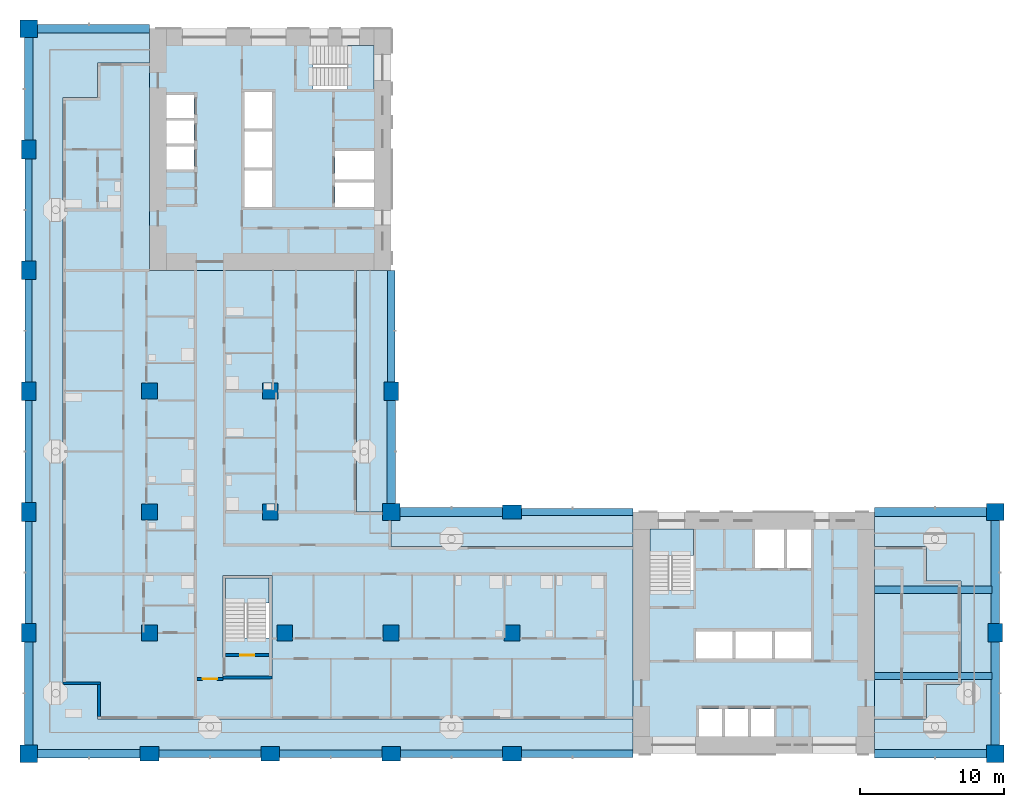
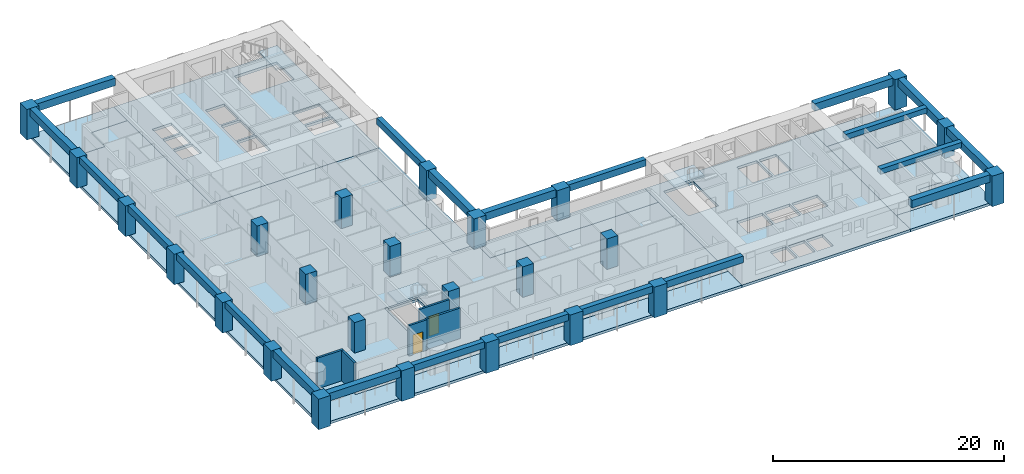
# One storey, part 1 of 19: 25 columns, 22 beams, 12 slabs, 5 walls, 2 doors, 2 openings, 3 elements without a shape of their own.
"""IFC4 building model written with IfcOpenShell, lengths in metres."""

import ifcopenshell
import ifcopenshell.guid

model = None  # the IFC model being written
_history = None  # IfcOwnerHistory: only IFC2X3 demands one
_inside = {}  # id of a spatial element -> (the spatial element, [elements in it])
_under = {}  # id of a project, library or spatial element -> (it, [spatial elements below it])
_declared = {}  # id of a project -> (the project, [libraries it declares])
_typed = {}  # id of a type object -> (the type object, [elements of that type])
_made_of = {}  # id of a material, layer set ... -> (it, [elements and type objects made of it])


def new_model(schema):
    """Start an empty IFC model of exactly this schema.

    Asked for "IFC4X3", IfcOpenShell would pick the latest addendum, in which some entities
    have other attributes; the version numbers below select the first issue.
    IFC2X3 requires an IfcOwnerHistory on every rooted entity: one is made here for all.
    """
    global model, _history
    if schema == "IFC4X3":
        model = ifcopenshell.file(schema_version=(4, 3, 0, 0))
    else:
        model = ifcopenshell.file(schema=schema)
    _inside.clear()
    _under.clear()
    _declared.clear()
    _typed.clear()
    _made_of.clear()
    _history = None
    if model.schema == "IFC2X3":
        org = make("IfcOrganization", Name="unknown")
        user = make(
            "IfcPersonAndOrganization",
            ThePerson=make("IfcPerson", FamilyName="unknown"),
            TheOrganization=org,
        )
        app = make(
            "IfcApplication",
            ApplicationDeveloper=org,
            Version="unknown",
            ApplicationFullName="unknown",
            ApplicationIdentifier="unknown",
        )
        _history = make(
            "IfcOwnerHistory",
            OwningUser=user,
            OwningApplication=app,
            ChangeAction="ADDED",
            CreationDate=0,
        )
    return model


def make(cls, **values):
    """One entity of the class cls with the attributes given. An attribute that is None is left unset."""
    return model.create_entity(
        cls, **{name: value for name, value in values.items() if value is not None}
    )


def rooted(cls, **values):
    """An entity with a GlobalId (a new one), such as an element, a storey or a relation."""
    return make(cls, GlobalId=ifcopenshell.guid.new(), OwnerHistory=_history, **values)


def si_unit(unit_type, name, prefix=None):
    """IfcSIUnit, for example si_unit("LENGTHUNIT", "METRE", prefix="MILLI")."""
    return make("IfcSIUnit", UnitType=unit_type, Prefix=prefix, Name=name)


def assignment(units):
    """IfcUnitAssignment: the units of a project."""
    return None if units is None else make("IfcUnitAssignment", Units=units)


def point(xyz):
    """IfcCartesianPoint."""
    return None if xyz is None else make("IfcCartesianPoint", Coordinates=xyz)


def direction(xyz):
    """IfcDirection."""
    return None if xyz is None else make("IfcDirection", DirectionRatios=xyz)


def frame(location, z_axis=None, x_axis=None):
    """IfcAxis2Placement3D, a coordinate frame: its origin and axes. An axis left out is left unset."""
    return make(
        "IfcAxis2Placement3D",
        Location=point(location),
        Axis=direction(z_axis),
        RefDirection=direction(x_axis),
    )


def frame_2d(location, x_axis=None):
    """IfcAxis2Placement2D, a coordinate frame in the plane: its origin and x axis."""
    return make(
        "IfcAxis2Placement2D", Location=point(location), RefDirection=direction(x_axis)
    )


def origin():
    """The frame at (0, 0, 0) with its axes left unset."""
    return frame((0.0, 0.0, 0.0))


def origin_2d():
    """The frame at (0, 0) in the plane with its x axis left unset."""
    return frame_2d((0.0, 0.0))


def place(relative_to, where):
    """IfcLocalPlacement: puts the frame where relative to a parent placement (None: the world)."""
    return make(
        "IfcLocalPlacement", PlacementRelTo=relative_to, RelativePlacement=where
    )


def context(
    kind, dimensions, precision=None, world=None, true_north=None, identifier=None
):
    """IfcGeometricRepresentationContext, for example the 3D "Model" context."""
    return make(
        "IfcGeometricRepresentationContext",
        ContextIdentifier=identifier,
        ContextType=kind,
        CoordinateSpaceDimension=dimensions,
        Precision=precision,
        WorldCoordinateSystem=world,
        TrueNorth=true_north,
    )


def subcontext(parent, identifier, kind, view, scale=None):
    """IfcGeometricRepresentationSubContext, for example "Body" below "Model"."""
    return make(
        "IfcGeometricRepresentationSubContext",
        ContextIdentifier=identifier,
        ContextType=kind,
        ParentContext=parent,
        TargetScale=scale,
        TargetView=view,
    )


def project(units=None, contexts=None):
    """IfcProject with its units and contexts."""
    return rooted(
        "IfcProject",
        Name="project",
        RepresentationContexts=contexts,
        UnitsInContext=assignment(units),
    )


def spatial(cls, under=None, at=None, **own):
    """A site, building, storey or space (cls), placed at a placement, below another one or the project."""
    s = rooted(cls, ObjectPlacement=at, **own)
    if under is not None:
        _under.setdefault(under.id(), (under, []))[1].append(s)
    return s


def polyline(points):
    """IfcPolyline through the points."""
    return make("IfcPolyline", Points=[point(p) for p in points])


def profile(cls, at=None, kind="AREA", **sizes):
    """A parametric profile (cls). Its sizes go by their IFC names, for example OverallWidth=200.0."""
    return make(cls, ProfileType=kind, Position=at, **sizes)


def rectangle(**sizes):
    """IfcRectangleProfileDef."""
    return profile("IfcRectangleProfileDef", **sizes)


def outline(outer, holes=None, kind="AREA"):
    """IfcArbitraryClosedProfileDef: a profile drawn as a closed curve; with holes, ...WithVoids."""
    if holes is None:
        return make("IfcArbitraryClosedProfileDef", ProfileType=kind, OuterCurve=outer)
    return make(
        "IfcArbitraryProfileDefWithVoids",
        ProfileType=kind,
        OuterCurve=outer,
        InnerCurves=holes,
    )


def extrude(swept, where, along, depth):
    """IfcExtrudedAreaSolid: the profile swept, set in the frame where, extruded along a direction by depth."""
    return make(
        "IfcExtrudedAreaSolid",
        SweptArea=swept,
        Position=where,
        ExtrudedDirection=direction(along),
        Depth=depth,
    )


def shape(context_of_items, identifier, shape_type, items):
    """IfcShapeRepresentation: the items that make up one representation, for example the "Body"."""
    return make(
        "IfcShapeRepresentation",
        ContextOfItems=context_of_items,
        RepresentationIdentifier=identifier,
        RepresentationType=shape_type,
        Items=items,
    )


def material(Name=None, Category=None):
    """IfcMaterial."""
    return make("IfcMaterial", Name=Name, Category=Category)


def layer(
    of_material, thickness, ventilated=None, Name=None, Category=None, Priority=None
):
    """IfcMaterialLayer: one layer of a wall or slab, of a material (None: an air gap)."""
    return make(
        "IfcMaterialLayer",
        Material=of_material,
        LayerThickness=thickness,
        IsVentilated=ventilated,
        Name=Name,
        Category=Category,
        Priority=Priority,
    )


def layer_set(layers, Name=None):
    """IfcMaterialLayerSet."""
    return make("IfcMaterialLayerSet", MaterialLayers=layers, LayerSetName=Name)


def material_profile(
    of_material, cross_section, Name=None, Category=None, Priority=None
):
    """IfcMaterialProfile: a cross section and its material."""
    return make(
        "IfcMaterialProfile",
        Name=Name,
        Material=of_material,
        Profile=cross_section,
        Priority=Priority,
        Category=Category,
    )


def profile_set(profiles, Name=None, composite=None):
    """IfcMaterialProfileSet."""
    return make(
        "IfcMaterialProfileSet",
        Name=Name,
        MaterialProfiles=profiles,
        CompositeProfile=composite,
    )


def made_of(thing, what):
    """Note that an element or type object is made of a material, layer set ...; save() writes the relation."""
    if what is not None:
        _made_of.setdefault(what.id(), (what, []))[1].append(thing)
    return thing


def type_object(cls, material=None, **own):
    """A type object (cls), such as IfcWallType, which elements share."""
    return made_of(rooted(cls, **own), material)


def element(
    cls,
    number,
    at=None,
    inside=None,
    cuts=None,
    type_object=None,
    material=None,
    context=None,
    identifier="Body",
    shape_type=None,
    held_by="IfcProductDefinitionShape",
    body=None,
    shapes=None,
    **own,
):
    """One element of the class cls, such as IfcWall. Its Tag is "e" and its number.

    at: its placement. inside: the storey or other place that contains it. cuts: it is an
    opening in that element (IfcRelVoidsElement). A single representation is given by context,
    identifier, shape_type and body (its items); several are given by shapes. held_by: the class
    of the entity that holds the representations. save() writes the other relations.
    """
    e = rooted(cls, Tag="e%d" % number, ObjectPlacement=at, **own)
    if body is not None:
        shapes = [shape(context, identifier, shape_type, body)]
    if shapes is not None:
        e.Representation = make(held_by, Representations=shapes)
    if inside is not None:
        _inside.setdefault(inside.id(), (inside, []))[1].append(e)
    if cuts is not None:
        rooted(
            "IfcRelVoidsElement", RelatingBuildingElement=cuts, RelatedOpeningElement=e
        )
    if type_object is not None:
        _typed.setdefault(type_object.id(), (type_object, []))[1].append(e)
    return made_of(e, material)


def fill(opening, filler):
    """IfcRelFillsElement: the door or window that sits in an opening."""
    return rooted(
        "IfcRelFillsElement",
        RelatingOpeningElement=opening,
        RelatedBuildingElement=filler,
    )


def aggregate(whole, parts):
    """IfcRelAggregates: a whole, such as a stair, and the parts it consists of."""
    return rooted("IfcRelAggregates", RelatingObject=whole, RelatedObjects=parts)


def save(model, path):
    """Write the relations noted so far, then the file.

    IfcRelAggregates (storeys below a building ...), IfcRelContainedInSpatialStructure (elements
    in a storey), IfcRelDefinesByType, IfcRelAssociatesMaterial and IfcRelDeclares: one each for
    every whole, place, type object, material and project.
    """
    for whole, parts in _under.values():
        aggregate(whole, parts)
    for where, things in _inside.values():
        rooted(
            "IfcRelContainedInSpatialStructure",
            RelatedElements=things,
            RelatingStructure=where,
        )
    for kind, things in _typed.values():
        rooted("IfcRelDefinesByType", RelatedObjects=things, RelatingType=kind)
    for what, things in _made_of.values():
        rooted("IfcRelAssociatesMaterial", RelatedObjects=things, RelatingMaterial=what)
    for by, libraries in _declared.values():
        rooted("IfcRelDeclares", RelatingContext=by, RelatedDefinitions=libraries)
    model.write(path)


model = new_model("IFC4")

# Units and contexts
model_context = context("Model", 3, precision=1e-05, world=origin(), true_north=direction((0.0, 1.0)))
body_context = subcontext(model_context, "Body", "Model", "MODEL_VIEW")
ifc_project = project(units=[si_unit("LENGTHUNIT", "METRE"), si_unit("AREAUNIT", "SQUARE_METRE"), si_unit("VOLUMEUNIT", "CUBIC_METRE"), si_unit("PLANEANGLEUNIT", "RADIAN"), si_unit("MASSUNIT", "GRAM", prefix="KILO")], contexts=[model_context])

# Site, building, storey
site_placement = place(None, origin())
site = spatial("IfcSite", under=ifc_project, at=site_placement, CompositionType="ELEMENT")
building_placement = place(site_placement, origin())
building = spatial("IfcBuilding", under=site, at=building_placement, Name="Vermilion Gate Residences", CompositionType="ELEMENT")
storey_placement = place(building_placement, frame((0.0, 0.0, 123.199951171875)))
storey = spatial("IfcBuildingStorey", under=building, at=storey_placement, Name="L31", CompositionType="ELEMENT", Elevation=123.199951171875)

# Columns
ifc_material_1 = material(Name="Concrete C70", Category="concrete")
ifc_material_profile_1 = material_profile(ifc_material_1, rectangle(XDim=1.10009765625, YDim=1.10009765625, at=origin_2d()), Name="RC-1100x1100")
ifc_profile_set_1 = profile_set([ifc_material_profile_1], Name="Concrete C70")
column_type_1 = type_object("IfcColumnType", Name="RC COLUMN 1100 X 1100 C70", PredefinedType="COLUMN", material=ifc_profile_set_1)
for number, where, z_axis, x_axis, name in (
    (1, (8.39990234375, 16.800048828125, 0.0), (0.0, 0.0, 1.0), (1.0, 0.0, 0.0), "Column 2-C L31"),
    (2, (8.39990234375, 25.199951171875, 0.0), (0.0, 0.0, 1.0), (1.0, 0.0, 0.0), "Column 2-D L31"),
    (3, (8.39990234375, 33.60009765625, 0.0), (0.0, 0.0, 1.0), (1.0, 0.0, 0.0), "Column 2-E L31"),
    (4, (17.800048828125, 16.800048828125, 0.0), (0.0, 0.0, 1.0), (1.0, 0.0, 0.0), "Column 3-C L31"),
    (5, (16.800048828125, 25.199951171875, 0.0), (0.0, 0.0, 1.0), (1.0, 0.0, 0.0), "Column 3-D L31"),
    (6, (16.800048828125, 33.60009765625, 0.0), (0.0, 0.0, 1.0), (1.0, 0.0, 0.0), "Column 3-E L31"),
    (7, (25.199951171875, 16.800048828125, 0.0), (0.0, 0.0, 1.0), (1.0, 0.0, 0.0), "Column 4-C L31"),
    (8, (33.60009765625, 16.800048828125, 0.0), (0.0, 0.0, 1.0), (1.0, 0.0, 0.0), "Column 5-C L31"),
):
    element("IfcColumn", number, at=place(storey_placement, frame(where, z_axis=z_axis, x_axis=x_axis)), inside=storey, type_object=column_type_1, Name=name, PredefinedType="COLUMN", context=body_context, shape_type="SweptSolid", body=[
        extrude(rectangle(XDim=1.10009765625, YDim=1.10009765625, at=origin_2d()), origin(), (0.0, 0.0, 1.0), 3.219970703125),
    ])
ifc_material_2 = material(Name="Concrete C70", Category="concrete")
ifc_material_profile_2 = material_profile(ifc_material_2, rectangle(XDim=1.199951171875, YDim=1.199951171875, at=origin_2d()), Name="RC-1200x1200")
ifc_profile_set_2 = profile_set([ifc_material_profile_2], Name="Concrete C70")
column_type_2 = type_object("IfcColumnType", Name="RC COLUMN 1200 X 1200 C70", PredefinedType="COLUMN", material=ifc_profile_set_2)
for number, where, z_axis, x_axis, name in (
    (9, (0.0, 8.39990234375, 0.0), (0.0, 0.0, 1.0), (1.0, 0.0, 0.0), "Column 1-B L31"),
    (10, (0.0, 58.800048828125, 0.0), (0.0, 0.0, 1.0), (1.0, 0.0, 0.0), "Column 1-H L31"),
    (11, (25.199951171875, 25.199951171875, 0.0), (0.0, 0.0, 1.0), (1.0, 0.0, 0.0), "Column 4-D L31"),
    (12, (67.199951171875, 8.39990234375, 0.0), (0.0, 0.0, 1.0), (1.0, 0.0, 0.0), "Column 9-B L31"),
    (13, (67.199951171875, 25.199951171875, 0.0), (0.0, 0.0, 1.0), (1.0, 0.0, 0.0), "Column 9-D L31"),
):
    element("IfcColumn", number, at=place(storey_placement, frame(where, z_axis=z_axis, x_axis=x_axis)), inside=storey, type_object=column_type_2, Name=name, PredefinedType="COLUMN", context=body_context, shape_type="SweptSolid", body=[
        extrude(rectangle(XDim=1.199951171875, YDim=1.199951171875, at=origin_2d()), origin(), (0.0, 0.0, 1.0), 3.219970703125),
    ])
ifc_material_3 = material(Name="Concrete C70", Category="concrete")
ifc_material_profile_3 = material_profile(ifc_material_3, rectangle(XDim=1.300048828125, YDim=1.0, at=origin_2d()), Name="RC-1300x1000")
ifc_profile_set_3 = profile_set([ifc_material_profile_3], Name="Concrete C70")
column_type_3 = type_object("IfcColumnType", Name="RC COLUMN 1300 X 1000 C70", PredefinedType="COLUMN", material=ifc_profile_set_3)
for number, where, z_axis, x_axis, name in (
    (14, (0.0, 16.800048828125, 0.0), (0.0, 0.0, 1.0), (0.0, 1.0, 0.0), "Column 1-C L31"),
    (15, (0.0, 25.199951171875, 0.0), (0.0, 0.0, 1.0), (0.0, 1.0, 0.0), "Column 1-D L31"),
    (16, (0.0, 33.60009765625, 0.0), (0.0, 0.0, 1.0), (0.0, 1.0, 0.0), "Column 1-E L31"),
    (17, (0.0, 42.0, 0.0), (0.0, 0.0, 1.0), (0.0, 1.0, 0.0), "Column 1-F L31"),
    (18, (0.0, 50.39990234375, 0.0), (0.0, 0.0, 1.0), (0.0, 1.0, 0.0), "Column 1-G L31"),
    (19, (8.39990234375, 8.39990234375, 0.0), (0.0, 0.0, 1.0), (1.0, 0.0, 0.0), "Column 2-B L31"),
    (20, (16.800048828125, 8.39990234375, 0.0), (0.0, 0.0, 1.0), (1.0, 0.0, 0.0), "Column 3-B L31"),
    (21, (25.199951171875, 8.39990234375, 0.0), (0.0, 0.0, 1.0), (1.0, 0.0, 0.0), "Column 4-B L31"),
    (22, (25.199951171875, 33.60009765625, 0.0), (0.0, 0.0, 1.0), (0.0, 1.0, 0.0), "Column 4-E L31"),
    (23, (33.60009765625, 8.39990234375, 0.0), (0.0, 0.0, 1.0), (1.0, 0.0, 0.0), "Column 5-B L31"),
    (24, (33.60009765625, 25.199951171875, 0.0), (0.0, 0.0, 1.0), (1.0, 0.0, 0.0), "Column 5-D L31"),
    (25, (67.199951171875, 16.800048828125, 0.0), (0.0, 0.0, 1.0), (0.0, 1.0, 0.0), "Column 9-C L31"),
):
    element("IfcColumn", number, at=place(storey_placement, frame(where, z_axis=z_axis, x_axis=x_axis)), inside=storey, type_object=column_type_3, Name=name, PredefinedType="COLUMN", context=body_context, shape_type="SweptSolid", body=[
        extrude(rectangle(XDim=1.300048828125, YDim=1.0, at=origin_2d()), origin(), (0.0, 0.0, 1.0), 3.219970703125),
    ])

# Beams
ifc_material_4 = material(Name="Concrete C60 red-oxide pigmented", Category="concrete")
ifc_material_profile_4 = material_profile(ifc_material_4, rectangle(XDim=0.60009765625, YDim=0.800048828125, at=origin_2d()), Name="RC-600x800")
ifc_profile_set_4 = profile_set([ifc_material_profile_4], Name="Concrete C60 red-oxide pigmented")
beam_type_1 = type_object("IfcBeamType", Name="RC CORNER EDGE BEAM 600 X 800 C60", PredefinedType="BEAM", material=ifc_profile_set_4)
for number, where, z_axis, x_axis, name in (
    (26, (0.60009765625, 8.39990234375, 2.820068359375), (1.0, 0.0, 0.0), (0.0, 1.0, 0.0), "Corner edge beam L31 1"),
    (27, (0.0, 9.0, 2.820068359375), (0.0, 1.0, 0.0), (-1.0, 0.0, 0.0), "Corner edge beam L31 2"),
):
    element("IfcBeam", number, at=place(storey_placement, frame(where, z_axis=z_axis, x_axis=x_axis)), inside=storey, type_object=beam_type_1, Name=name, PredefinedType="BEAM", context=body_context, shape_type="SweptSolid", body=[
        extrude(rectangle(XDim=0.60009765625, YDim=0.800048828125, at=origin_2d()), origin(), (0.0, 0.0, 1.0), 7.14990234375),
    ])
beam_1_placement = place(storey_placement, frame((0.60009765625, 58.800048828125, 2.820068359375), z_axis=(1.0, 0.0, 0.0), x_axis=(0.0, 1.0, 0.0)))
element("IfcBeam", 28, at=beam_1_placement, inside=storey, type_object=beam_type_1, Name="Corner edge beam L31 7", PredefinedType="BEAM", context=body_context, shape_type="SweptSolid", body=[
    extrude(rectangle(XDim=0.60009765625, YDim=0.800048828125, at=origin_2d()), origin(), (0.0, 0.0, 1.0), 7.7998046875),
])
for number, where, z_axis, x_axis, name in (
    (29, (0.0, 51.050048828125, 2.820068359375), (0.0, 1.0, 0.0), (-1.0, 0.0, 0.0), "Corner edge beam L31 8"),
    (30, (25.199951171875, 25.800048828125, 2.820068359375), (0.0, 1.0, 0.0), (-1.0, 0.0, 0.0), "Corner edge beam L31 11"),
    (31, (25.800048828125, 25.199951171875, 2.820068359375), (1.0, 0.0, 0.0), (0.0, 1.0, 0.0), "Corner edge beam L31 14"),
):
    element("IfcBeam", number, at=place(storey_placement, frame(where, z_axis=z_axis, x_axis=x_axis)), inside=storey, type_object=beam_type_1, Name=name, PredefinedType="BEAM", context=body_context, shape_type="SweptSolid", body=[
        extrude(rectangle(XDim=0.60009765625, YDim=0.800048828125, at=origin_2d()), origin(), (0.0, 0.0, 1.0), 7.14990234375),
    ])
beam_2_placement = place(storey_placement, frame((58.800048828125, 8.39990234375, 2.820068359375), z_axis=(1.0, 0.0, 0.0), x_axis=(0.0, 1.0, 0.0)))
element("IfcBeam", 32, at=beam_2_placement, inside=storey, type_object=beam_type_1, Name="Corner edge beam L31 17", PredefinedType="BEAM", context=body_context, shape_type="SweptSolid", body=[
    extrude(rectangle(XDim=0.60009765625, YDim=0.800048828125, at=origin_2d()), origin(), (0.0, 0.0, 1.0), 7.800048828125),
])
beam_3_placement = place(storey_placement, frame((67.199951171875, 9.0, 2.820068359375), z_axis=(0.0, 1.0, 0.0), x_axis=(-1.0, 0.0, 0.0)))
element("IfcBeam", 33, at=beam_3_placement, inside=storey, type_object=beam_type_1, Name="Corner edge beam L31 18", PredefinedType="BEAM", context=body_context, shape_type="SweptSolid", body=[
    extrude(rectangle(XDim=0.60009765625, YDim=0.800048828125, at=origin_2d()), origin(), (0.0, 0.0, 1.0), 7.14990234375),
])
beam_4_placement = place(storey_placement, frame((67.199951171875, 17.449951171875, 2.820068359375), z_axis=(0.0, 1.0, 0.0), x_axis=(-1.0, 0.0, 0.0)))
element("IfcBeam", 34, at=beam_4_placement, inside=storey, type_object=beam_type_1, Name="Corner edge beam L31 19", PredefinedType="BEAM", context=body_context, shape_type="SweptSolid", body=[
    extrude(rectangle(XDim=0.60009765625, YDim=0.800048828125, at=origin_2d()), origin(), (0.0, 0.0, 1.0), 7.150146484375),
])
beam_5_placement = place(storey_placement, frame((58.800048828125, 25.199951171875, 2.820068359375), z_axis=(1.0, 0.0, 0.0), x_axis=(0.0, 1.0, 0.0)))
element("IfcBeam", 35, at=beam_5_placement, inside=storey, type_object=beam_type_1, Name="Corner edge beam L31 20", PredefinedType="BEAM", context=body_context, shape_type="SweptSolid", body=[
    extrude(rectangle(XDim=0.60009765625, YDim=0.800048828125, at=origin_2d()), origin(), (0.0, 0.0, 1.0), 7.800048828125),
])
ifc_material_5 = material(Name="Concrete C60 red-oxide pigmented", Category="concrete")
ifc_material_profile_5 = material_profile(ifc_material_5, rectangle(XDim=0.5, YDim=0.699951171875, at=origin_2d()), Name="RC-500x700")
ifc_profile_set_5 = profile_set([ifc_material_profile_5], Name="Concrete C60 red-oxide pigmented")
beam_type_2 = type_object("IfcBeamType", Name="RC EDGE BEAM 500 X 700 C60", PredefinedType="BEAM", material=ifc_profile_set_5)
beam_6_placement = place(storey_placement, frame((0.0, 17.449951171875, 2.8701171875), z_axis=(0.0, 1.0, 0.0), x_axis=(-1.0, 0.0, 0.0)))
element("IfcBeam", 36, at=beam_6_placement, inside=storey, type_object=beam_type_2, Name="Edge beam L31 3", PredefinedType="BEAM", context=body_context, shape_type="SweptSolid", body=[
    extrude(rectangle(XDim=0.5, YDim=0.699951171875, at=origin_2d()), origin(), (0.0, 0.0, 1.0), 7.10009765625),
])
beam_7_placement = place(storey_placement, frame((0.0, 25.85009765625, 2.8701171875), z_axis=(0.0, 1.0, 0.0), x_axis=(-1.0, 0.0, 0.0)))
element("IfcBeam", 37, at=beam_7_placement, inside=storey, type_object=beam_type_2, Name="Edge beam L31 4", PredefinedType="BEAM", context=body_context, shape_type="SweptSolid", body=[
    extrude(rectangle(XDim=0.5, YDim=0.699951171875, at=origin_2d()), origin(), (0.0, 0.0, 1.0), 7.099853515625),
])
for number, where, z_axis, x_axis, name in (
    (38, (0.0, 34.25, 2.8701171875), (0.0, 1.0, 0.0), (-1.0, 0.0, 0.0), "Edge beam L31 5"),
    (39, (0.0, 42.64990234375, 2.8701171875), (0.0, 1.0, 0.0), (-1.0, 0.0, 0.0), "Edge beam L31 6"),
):
    element("IfcBeam", number, at=place(storey_placement, frame(where, z_axis=z_axis, x_axis=x_axis)), inside=storey, type_object=beam_type_2, Name=name, PredefinedType="BEAM", context=body_context, shape_type="SweptSolid", body=[
        extrude(rectangle(XDim=0.5, YDim=0.699951171875, at=origin_2d()), origin(), (0.0, 0.0, 1.0), 7.10009765625),
    ])
beam_8_placement = place(storey_placement, frame((9.050048828125, 8.39990234375, 2.8701171875), z_axis=(1.0, 0.0, 0.0), x_axis=(0.0, 1.0, 0.0)))
element("IfcBeam", 40, at=beam_8_placement, inside=storey, type_object=beam_type_2, Name="Edge beam L31 9", PredefinedType="BEAM", context=body_context, shape_type="SweptSolid", body=[
    extrude(rectangle(XDim=0.5, YDim=0.699951171875, at=origin_2d()), origin(), (0.0, 0.0, 1.0), 7.099853515625),
])
beam_9_placement = place(storey_placement, frame((17.449951171875, 8.39990234375, 2.8701171875), z_axis=(1.0, 0.0, 0.0), x_axis=(0.0, 1.0, 0.0)))
element("IfcBeam", 41, at=beam_9_placement, inside=storey, type_object=beam_type_2, Name="Edge beam L31 10", PredefinedType="BEAM", context=body_context, shape_type="SweptSolid", body=[
    extrude(rectangle(XDim=0.5, YDim=0.699951171875, at=origin_2d()), origin(), (0.0, 0.0, 1.0), 7.10009765625),
])
beam_10_placement = place(storey_placement, frame((25.199951171875, 34.25, 2.8701171875), z_axis=(0.0, 1.0, 0.0), x_axis=(-1.0, 0.0, 0.0)))
element("IfcBeam", 42, at=beam_10_placement, inside=storey, type_object=beam_type_2, Name="Edge beam L31 12", PredefinedType="BEAM", context=body_context, shape_type="SweptSolid", body=[
    extrude(rectangle(XDim=0.5, YDim=0.699951171875, at=origin_2d()), origin(), (0.0, 0.0, 1.0), 7.75),
])
beam_11_placement = place(storey_placement, frame((25.85009765625, 8.39990234375, 2.8701171875), z_axis=(1.0, 0.0, 0.0), x_axis=(0.0, 1.0, 0.0)))
element("IfcBeam", 43, at=beam_11_placement, inside=storey, type_object=beam_type_2, Name="Edge beam L31 13", PredefinedType="BEAM", context=body_context, shape_type="SweptSolid", body=[
    extrude(rectangle(XDim=0.5, YDim=0.699951171875, at=origin_2d()), origin(), (0.0, 0.0, 1.0), 7.099853515625),
])
for number, where, z_axis, x_axis, name in (
    (44, (34.25, 8.39990234375, 2.8701171875), (1.0, 0.0, 0.0), (0.0, 1.0, 0.0), "Edge beam L31 15"),
    (45, (34.25, 25.199951171875, 2.8701171875), (1.0, 0.0, 0.0), (0.0, 1.0, 0.0), "Edge beam L31 16"),
):
    element("IfcBeam", number, at=place(storey_placement, frame(where, z_axis=z_axis, x_axis=x_axis)), inside=storey, type_object=beam_type_2, Name=name, PredefinedType="BEAM", context=body_context, shape_type="SweptSolid", body=[
        extrude(rectangle(XDim=0.5, YDim=0.699951171875, at=origin_2d()), origin(), (0.0, 0.0, 1.0), 7.75),
    ])
ifc_material_6 = material(Name="Concrete C60", Category="concrete")
ifc_material_profile_6 = material_profile(ifc_material_6, rectangle(XDim=0.5, YDim=0.550048828125, at=origin_2d()), Name="RC-500x550")
ifc_profile_set_6 = profile_set([ifc_material_profile_6], Name="Concrete C60")
beam_type_3 = type_object("IfcBeamType", Name="RC WING BEAM 500 X 550 C60", PredefinedType="BEAM", material=ifc_profile_set_6)
for number, where, z_axis, x_axis, name in (
    (46, (58.800048828125, 13.800048828125, 2.945068359375), (1.0, 0.0, 0.0), (0.0, 1.0, 0.0), "Wing-end beam L31 1"),
    (47, (58.800048828125, 19.800048828125, 2.945068359375), (1.0, 0.0, 0.0), (0.0, 1.0, 0.0), "Wing-end beam L31 2"),
):
    element("IfcBeam", number, at=place(storey_placement, frame(where, z_axis=z_axis, x_axis=x_axis)), inside=storey, type_object=beam_type_3, Name=name, PredefinedType="BEAM", context=body_context, shape_type="SweptSolid", body=[
        extrude(rectangle(XDim=0.5, YDim=0.550048828125, at=origin_2d()), origin(), (0.0, 0.0, 1.0), 8.14990234375),
    ])

# Slabs
ifc_material_7 = material(Name="Concrete C50", Category="concrete")
ifc_layer_1 = layer(ifc_material_7, 0.280029296875)
ifc_layer_set_1 = layer_set([ifc_layer_1], Name="RC CORE FLOOR SLAB 280 C50")
slab_type_1 = type_object("IfcSlabType", Name="RC CORE FLOOR SLAB 280 C50", PredefinedType="FLOOR", material=ifc_layer_set_1)
slab_1_placement = place(storey_placement, frame((0.0, 0.0, -0.280029296875)))
element("IfcSlab", 48, at=slab_1_placement, inside=storey, type_object=slab_type_1, Name="Core floor slab A31", PredefinedType="FLOOR", context=body_context, shape_type="SweptSolid", body=[
    extrude(outline(polyline([(42.0, 8.39990234375), (58.800048828125, 8.39990234375), (58.800048828125, 25.199951171875), (42.0, 25.199951171875), (42.0, 8.39990234375)]), holes=[polyline([(46.60009765625, 11.5), (48.199951171875, 11.5), (48.199951171875, 9.60009765625), (46.60009765625, 9.60009765625), (46.60009765625, 11.5)]), polyline([(48.39990234375, 11.5), (50.0, 11.5), (50.0, 9.60009765625), (48.39990234375, 9.60009765625), (48.39990234375, 11.5)]), polyline([(50.199951171875, 11.5), (51.800048828125, 11.5), (51.800048828125, 9.60009765625), (50.199951171875, 9.60009765625), (50.199951171875, 11.5)]), polyline([(46.39990234375, 16.89990234375), (48.933349609375, 16.89990234375), (48.933349609375, 15.0), (46.39990234375, 15.0), (46.39990234375, 16.89990234375)]), polyline([(49.13330078125, 16.89990234375), (51.666748046875, 16.89990234375), (51.666748046875, 15.0), (49.13330078125, 15.0), (49.13330078125, 16.89990234375)]), polyline([(51.86669921875, 16.89990234375), (54.39990234375, 16.89990234375), (54.39990234375, 15.0), (51.86669921875, 15.0), (51.86669921875, 16.89990234375)]), polyline([(43.199951171875, 24.0), (46.199951171875, 24.0), (46.199951171875, 19.75), (43.199951171875, 19.75), (43.199951171875, 24.0)]), polyline([(52.5, 24.0), (52.5, 21.300048828125), (50.5, 21.300048828125), (50.5, 24.0), (52.5, 24.0)]), polyline([(54.39990234375, 24.0), (54.39990234375, 21.300048828125), (52.699951171875, 21.300048828125), (52.699951171875, 24.0), (54.39990234375, 24.0)])]), origin(), (0.0, 0.0, 1.0), 0.280029296875),
])
slab_2_placement = place(storey_placement, frame((0.0, 0.0, -0.280029296875)))
element("IfcSlab", 49, at=slab_2_placement, inside=storey, type_object=slab_type_1, Name="Core floor slab B31", PredefinedType="FLOOR", context=body_context, shape_type="SweptSolid", body=[
    extrude(outline(polyline([(8.39990234375, 42.0), (25.199951171875, 42.0), (25.199951171875, 58.800048828125), (8.39990234375, 58.800048828125), (8.39990234375, 42.0)]), holes=[polyline([(21.300048828125, 48.10009765625), (24.0, 48.10009765625), (24.0, 46.39990234375), (21.300048828125, 46.39990234375), (21.300048828125, 48.10009765625)]), polyline([(15.0, 48.933349609375), (16.89990234375, 48.933349609375), (16.89990234375, 46.39990234375), (15.0, 46.39990234375), (15.0, 48.933349609375)]), polyline([(21.300048828125, 50.300048828125), (24.0, 50.300048828125), (24.0, 48.300048828125), (21.300048828125, 48.300048828125), (21.300048828125, 50.300048828125)]), polyline([(9.60009765625, 50.60009765625), (11.5, 50.60009765625), (11.5, 49.0), (9.60009765625, 49.0), (9.60009765625, 50.60009765625)]), polyline([(15.0, 51.666748046875), (16.89990234375, 51.666748046875), (16.89990234375, 49.13330078125), (15.0, 49.13330078125), (15.0, 51.666748046875)]), polyline([(9.60009765625, 52.39990234375), (11.5, 52.39990234375), (11.5, 50.800048828125), (9.60009765625, 50.800048828125), (9.60009765625, 52.39990234375)]), polyline([(15.0, 54.39990234375), (16.89990234375, 54.39990234375), (16.89990234375, 51.86669921875), (15.0, 51.86669921875), (15.0, 54.39990234375)]), polyline([(11.5, 54.199951171875), (11.5, 52.60009765625), (9.60009765625, 52.60009765625), (9.60009765625, 54.199951171875), (11.5, 54.199951171875)]), polyline([(24.0, 57.60009765625), (24.0, 54.60009765625), (19.75, 54.60009765625), (19.75, 57.60009765625), (24.0, 57.60009765625)])]), origin(), (0.0, 0.0, 1.0), 0.280029296875),
])
slab_3_placement = place(storey_placement, frame((0.0, 0.0, -0.280029296875)))
element("IfcSlab", 50, at=slab_3_placement, inside=storey, type_object=slab_type_1, Name="Apex stair floor slab 31", PredefinedType="FLOOR", context=body_context, shape_type="SweptSolid", body=[
    extrude(outline(polyline([(13.5, 13.60009765625), (16.89990234375, 13.60009765625), (16.89990234375, 20.800048828125), (13.5, 20.800048828125), (13.5, 13.60009765625)]), holes=[polyline([(16.699951171875, 20.60009765625), (16.699951171875, 16.449951171875), (13.699951171875, 16.449951171875), (13.699951171875, 20.60009765625), (16.699951171875, 20.60009765625)])]), origin(), (0.0, 0.0, 1.0), 0.280029296875),
])
ifc_material_8 = material(Name="Concrete C50", Category="concrete")
ifc_layer_2 = layer(ifc_material_8, 0.280029296875)
ifc_layer_set_2 = layer_set([ifc_layer_2], Name="RC FLAT PLATE 280 C50")
slab_type_2 = type_object("IfcSlabType", Name="RC FLAT PLATE 280 C50", PredefinedType="FLOOR", material=ifc_layer_set_2)
slab_4_placement = place(storey_placement, frame((0.0, 0.0, -0.280029296875)))
element("IfcSlab", 51, at=slab_4_placement, inside=storey, type_object=slab_type_2, Name="Floor slab L31", PredefinedType="FLOOR", context=body_context, shape_type="SweptSolid", body=[
    extrude(outline(polyline([(22.800048828125, 25.199951171875), (22.800048828125, 42.0), (8.39990234375, 42.0), (8.39990234375, 56.39990234375), (4.800048828125, 56.39990234375), (4.800048828125, 54.0), (2.39990234375, 54.0), (2.39990234375, 13.199951171875), (4.800048828125, 13.199951171875), (4.800048828125, 10.800048828125), (42.0, 10.800048828125), (42.0, 22.800048828125), (25.199951171875, 22.800048828125), (25.199951171875, 25.199951171875), (22.800048828125, 25.199951171875)]), holes=[polyline([(13.5, 13.60009765625), (13.5, 20.800048828125), (16.89990234375, 20.800048828125), (16.89990234375, 13.60009765625), (13.5, 13.60009765625)])]), origin(), (0.0, 0.0, 1.0), 0.280029296875),
])
slab_5_placement = place(storey_placement, frame((0.0, 0.0, -0.280029296875)))
element("IfcSlab", 52, at=slab_5_placement, inside=storey, type_object=slab_type_2, Name="Floor slab L31", PredefinedType="FLOOR", context=body_context, shape_type="SweptSolid", body=[
    extrude(outline(polyline([(58.800048828125, 22.800048828125), (58.800048828125, 10.800048828125), (62.39990234375, 10.800048828125), (62.39990234375, 13.199951171875), (64.800048828125, 13.199951171875), (64.800048828125, 20.39990234375), (62.39990234375, 20.39990234375), (62.39990234375, 22.800048828125), (58.800048828125, 22.800048828125)])), origin(), (0.0, 0.0, 1.0), 0.280029296875),
])
ifc_material_9 = material(Name="Concrete C50 red-oxide pigmented", Category="concrete")
ifc_layer_3 = layer(ifc_material_9, 0.280029296875)
ifc_layer_set_3 = layer_set([ifc_layer_3], Name="RC LOGGIA SLAB 280 C50")
slab_type_3 = type_object("IfcSlabType", Name="RC LOGGIA SLAB 280 C50", PredefinedType="FLOOR", material=ifc_layer_set_3)
slab_6_placement = place(storey_placement, frame((0.0, 0.0, -0.280029296875)))
element("IfcSlab", 53, at=slab_6_placement, inside=storey, type_object=slab_type_3, Name="Loggia slab L31", PredefinedType="FLOOR", context=body_context, shape_type="SweptSolid", body=[
    extrude(outline(polyline([(0.0, 58.800048828125), (0.0, 8.39990234375), (42.0, 8.39990234375), (42.0, 10.800048828125), (4.800048828125, 10.800048828125), (4.800048828125, 13.199951171875), (2.39990234375, 13.199951171875), (2.39990234375, 54.0), (4.800048828125, 54.0), (4.800048828125, 56.39990234375), (8.39990234375, 56.39990234375), (8.39990234375, 58.800048828125), (0.0, 58.800048828125)])), origin(), (0.0, 0.0, 1.0), 0.280029296875),
])
slab_7_placement = place(storey_placement, frame((0.0, 0.0, -0.280029296875)))
element("IfcSlab", 54, at=slab_7_placement, inside=storey, type_object=slab_type_3, Name="Loggia slab L31", PredefinedType="FLOOR", context=body_context, shape_type="SweptSolid", body=[
    extrude(outline(polyline([(64.800048828125, 20.39990234375), (64.800048828125, 13.199951171875), (62.39990234375, 13.199951171875), (62.39990234375, 10.800048828125), (58.800048828125, 10.800048828125), (58.800048828125, 8.39990234375), (67.199951171875, 8.39990234375), (67.199951171875, 25.199951171875), (58.800048828125, 25.199951171875), (58.800048828125, 22.800048828125), (62.39990234375, 22.800048828125), (62.39990234375, 20.39990234375), (64.800048828125, 20.39990234375)])), origin(), (0.0, 0.0, 1.0), 0.280029296875),
])
slab_8_placement = place(storey_placement, frame((0.0, 0.0, -0.280029296875)))
element("IfcSlab", 55, at=slab_8_placement, inside=storey, type_object=slab_type_3, Name="Loggia slab L31", PredefinedType="FLOOR", context=body_context, shape_type="SweptSolid", body=[
    extrude(outline(polyline([(25.199951171875, 22.800048828125), (42.0, 22.800048828125), (42.0, 25.199951171875), (25.199951171875, 25.199951171875), (25.199951171875, 22.800048828125)])), origin(), (0.0, 0.0, 1.0), 0.280029296875),
])
slab_9_placement = place(storey_placement, frame((0.0, 0.0, -0.280029296875)))
element("IfcSlab", 56, at=slab_9_placement, inside=storey, type_object=slab_type_3, Name="Loggia slab L31", PredefinedType="FLOOR", context=body_context, shape_type="SweptSolid", body=[
    extrude(outline(polyline([(25.199951171875, 25.199951171875), (25.199951171875, 42.0), (22.800048828125, 42.0), (22.800048828125, 25.199951171875), (25.199951171875, 25.199951171875)])), origin(), (0.0, 0.0, 1.0), 0.280029296875),
])

# Stair, slab
ifc_material_10 = material(Name="Concrete C50", Category="concrete")
stair_type = type_object("IfcStairType", Name="SPECIAL ESCAPE STAIR 1300", PredefinedType="HALF_TURN_STAIR", material=ifc_material_10)
stair_1_placement = place(storey_placement, origin())
stair_1 = element("IfcStair", 57, at=stair_1_placement, inside=storey, type_object=stair_type, Name="Special escape stair STA1-31", PredefinedType="HALF_TURN_STAIR")
ifc_material_11 = material(Name="Concrete C50", Category="concrete")
ifc_layer_4 = layer(ifc_material_11, 0.199951171875)
ifc_layer_set_4 = layer_set([ifc_layer_4], Name="STAIR LANDING 200 C50")
slab_type_4 = type_object("IfcSlabType", Name="STAIR LANDING 200 C50", PredefinedType="LANDING", material=ifc_layer_set_4)
slab_10_placement = place(storey_placement, frame((0.0, 0.0, 1.550048828125)))
slab_10 = element("IfcSlab", 58, at=slab_10_placement, type_object=slab_type_4, Name="STA1-31 landing 1", PredefinedType="LANDING", context=body_context, shape_type="SweptSolid", body=[
    extrude(outline(polyline([(46.219970703125, 22.179931640625), (46.219970703125, 24.02001953125), (43.179931640625, 24.02001953125), (43.179931640625, 22.179931640625), (46.219970703125, 22.179931640625)])), origin(), (0.0, 0.0, 1.0), 0.199951171875),
])
aggregate(stair_1, [slab_10])

stair_2_placement = place(storey_placement, origin())
stair_2 = element("IfcStair", 59, at=stair_2_placement, inside=storey, type_object=stair_type, Name="Special escape stair STB1-31", PredefinedType="HALF_TURN_STAIR")
slab_11_placement = place(storey_placement, frame((0.0, 0.0, 1.550048828125)))
slab_11 = element("IfcSlab", 60, at=slab_11_placement, type_object=slab_type_4, Name="STB1-31 landing 1", PredefinedType="LANDING", context=body_context, shape_type="SweptSolid", body=[
    extrude(outline(polyline([(24.02001953125, 54.580078125), (24.02001953125, 57.6201171875), (22.179931640625, 57.6201171875), (22.179931640625, 54.580078125), (24.02001953125, 54.580078125)])), origin(), (0.0, 0.0, 1.0), 0.199951171875),
])
aggregate(stair_2, [slab_11])

stair_3_placement = place(storey_placement, origin())
stair_3 = element("IfcStair", 61, at=stair_3_placement, inside=storey, type_object=stair_type, Name="Special escape stair STC1-31", PredefinedType="HALF_TURN_STAIR")
slab_12_placement = place(storey_placement, frame((0.0, 0.0, 1.550048828125)))
slab_12 = element("IfcSlab", 62, at=slab_12_placement, type_object=slab_type_4, Name="STC1-31 landing 1", PredefinedType="LANDING", context=body_context, shape_type="SweptSolid", body=[
    extrude(outline(polyline([(16.719970703125, 18.8798828125), (16.719970703125, 20.6201171875), (13.679931640625, 20.6201171875), (13.679931640625, 18.8798828125), (16.719970703125, 18.8798828125)])), origin(), (0.0, 0.0, 1.0), 0.199951171875),
])
aggregate(stair_3, [slab_12])

# Walls
ifc_material_12 = material(Name="Insulated steel stud wall with terracotta rainscreen", Category="masonry")
ifc_layer_5 = layer(ifc_material_12, 0.199951171875)
ifc_layer_set_5 = layer_set([ifc_layer_5], Name="EXTERNAL WALL 200 TERRACOTTA RAINSCREEN")
wall_type_1 = type_object("IfcWallType", Name="EXTERNAL WALL 200 TERRACOTTA RAINSCREEN", PredefinedType="SOLIDWALL", material=ifc_layer_set_5)
wall_1_placement = place(storey_placement, frame((2.39990234375, 13.300048828125, 0.0), z_axis=(0.0, 0.0, 1.0), x_axis=(1.0, 0.0, 0.0)))
element("IfcWall", 63, at=wall_1_placement, inside=storey, type_object=wall_type_1, Name="External wall", PredefinedType="SOLIDWALL", context=body_context, shape_type="SweptSolid", body=[
    extrude(rectangle(XDim=2.60009765625, YDim=0.199951171875, at=frame_2d((1.300048828125, 0.0))), origin(), (0.0, 0.0, 1.0), 3.219970703125),
])
wall_2_placement = place(storey_placement, frame((4.89990234375, 13.199951171875, 0.0), z_axis=(0.0, 0.0, 1.0), x_axis=(0.0, -1.0, 0.0)))
element("IfcWall", 64, at=wall_2_placement, inside=storey, type_object=wall_type_1, Name="External wall", PredefinedType="SOLIDWALL", context=body_context, shape_type="SweptSolid", body=[
    extrude(rectangle(XDim=2.199951171875, YDim=0.199951171875, at=frame_2d((1.10009765625, 0.0))), origin(), (0.0, 0.0, 1.0), 3.219970703125),
])

# Wall, opening, door
ifc_material_13 = material(Name="Fire-rated plasterboard on steel studs", Category="steel")
ifc_layer_6 = layer(ifc_material_13, 0.199951171875)
ifc_layer_set_6 = layer_set([ifc_layer_6], Name="PARTY WALL 200 EI 120")
wall_type_2 = type_object("IfcWallType", Name="PARTY WALL 200 EI 120", PredefinedType="PARTITIONING", material=ifc_layer_set_6)
wall_3_placement = place(storey_placement, frame((11.699951171875, 13.60009765625, 0.0), z_axis=(0.0, 0.0, 1.0), x_axis=(1.0, 0.0, 0.0)))
wall_3 = element("IfcWall", 65, at=wall_3_placement, inside=storey, type_object=wall_type_2, Name="Party and corridor wall", PredefinedType="PARTITIONING", context=body_context, shape_type="SweptSolid", body=[
    extrude(rectangle(XDim=1.800048828125, YDim=0.199951171875, at=frame_2d((0.89990234375, 0.0))), origin(), (0.0, 0.0, 1.0), 3.219970703125),
])
opening_1_placement = place(wall_3_placement, frame((0.39990234375, 0.0, 0.0)))
opening_1 = element("IfcOpeningElement", 66, at=opening_1_placement, cuts=wall_3, Name="Opening DA30001", PredefinedType="OPENING", context=body_context, shape_type="SweptSolid", body=[
    extrude(rectangle(XDim=1.0, YDim=2.10009765625, at=frame_2d((0.5, 1.050048828125))), frame((0.0, 0.10986328125, 0.0), z_axis=(0.0, -1.0, 0.0), x_axis=(1.0, 0.0, 0.0)), (0.0, 0.0, 1.0), 0.219970703125),
])
ifc_material_14 = material(Name="Steel", Category="steel")
door_type_1 = type_object("IfcDoorType", Name="ENTRANCE DOOR 1000 X 2100 FD30", OperationType="SINGLE_SWING_LEFT", PredefinedType="DOOR", material=ifc_material_14)
door_1_placement = place(opening_1_placement, frame((1.0, 0.0, 0.0), z_axis=(0.0, 0.0, 1.0), x_axis=(-1.0, 0.0, 0.0)))
door_1 = element("IfcDoor", 67, at=door_1_placement, inside=storey, type_object=door_type_1, Name="Entrance door", OperationType="SINGLE_SWING_RIGHT", OverallHeight=2.10009765625, OverallWidth=1.0, PredefinedType="DOOR", context=body_context, shape_type="SweptSolid", body=[
    extrude(rectangle(XDim=1.0, YDim=2.10009765625, at=frame_2d((0.5, 1.050048828125))), frame((0.0, 0.02490234375, 0.0), z_axis=(0.0, -1.0, 0.0), x_axis=(1.0, 0.0, 0.0)), (0.0, 0.0, 1.0), 0.050048828125),
])
fill(opening_1, door_1)

# Wall
ifc_material_15 = material(Name="Concrete C60", Category="concrete")
ifc_layer_7 = layer(ifc_material_15, 0.199951171875)
ifc_layer_set_7 = layer_set([ifc_layer_7], Name="RC CORE INTERNAL WALL 200 C60")
wall_type_3 = type_object("IfcWallType", Name="RC CORE INTERNAL WALL 200 C60", PredefinedType="SHEAR", material=ifc_layer_set_7)
wall_4_placement = place(storey_placement, frame((13.5, 13.699951171875, 0.0), z_axis=(0.0, 0.0, 1.0), x_axis=(1.0, 0.0, 0.0)))
element("IfcWall", 68, at=wall_4_placement, inside=storey, type_object=wall_type_3, Name="Core internal wall C31-S", PredefinedType="SHEAR", context=body_context, shape_type="SweptSolid", body=[
    extrude(rectangle(XDim=3.39990234375, YDim=0.199951171875, at=frame_2d((1.699951171875, 0.0))), origin(), (0.0, 0.0, 1.0), 3.219970703125),
])

# Wall, opening, door
wall_5_placement = place(storey_placement, frame((13.699951171875, 15.25, 0.0), z_axis=(0.0, 0.0, 1.0), x_axis=(1.0, 0.0, 0.0)))
wall_5 = element("IfcWall", 69, at=wall_5_placement, inside=storey, type_object=wall_type_3, Name="Core internal wall C31-P", PredefinedType="SHEAR", context=body_context, shape_type="SweptSolid", body=[
    extrude(rectangle(XDim=3.0, YDim=0.199951171875, at=frame_2d((1.5, 0.0))), origin(), (0.0, 0.0, 1.0), 3.219970703125),
])
opening_2_placement = place(wall_5_placement, frame((1.0, 0.0, 0.0)))
opening_2 = element("IfcOpeningElement", 70, at=opening_2_placement, cuts=wall_5, Name="Opening DK31202", PredefinedType="OPENING", context=body_context, shape_type="SweptSolid", body=[
    extrude(rectangle(XDim=1.0, YDim=2.10009765625, at=frame_2d((0.5, 1.050048828125))), frame((0.0, 0.10986328125, 0.0), z_axis=(0.0, -1.0, 0.0), x_axis=(1.0, 0.0, 0.0)), (0.0, 0.0, 1.0), 0.219970703125),
])
ifc_material_16 = material(Name="Steel", Category="steel")
door_type_2 = type_object("IfcDoorType", Name="FIRE DOOR FD60 1000 X 2100", OperationType="SINGLE_SWING_LEFT", PredefinedType="DOOR", material=ifc_material_16)
door_2_placement = place(opening_2_placement, origin())
door_2 = element("IfcDoor", 71, at=door_2_placement, inside=storey, type_object=door_type_2, Name="Stair door C31", OperationType="SINGLE_SWING_LEFT", OverallHeight=2.10009765625, OverallWidth=1.0, PredefinedType="DOOR", context=body_context, shape_type="SweptSolid", body=[
    extrude(rectangle(XDim=1.0, YDim=2.10009765625, at=frame_2d((0.5, 1.050048828125))), frame((0.0, 0.02490234375, 0.0), z_axis=(0.0, -1.0, 0.0), x_axis=(1.0, 0.0, 0.0)), (0.0, 0.0, 1.0), 0.050048828125),
])
fill(opening_2, door_2)

save(model, "model.ifc")
